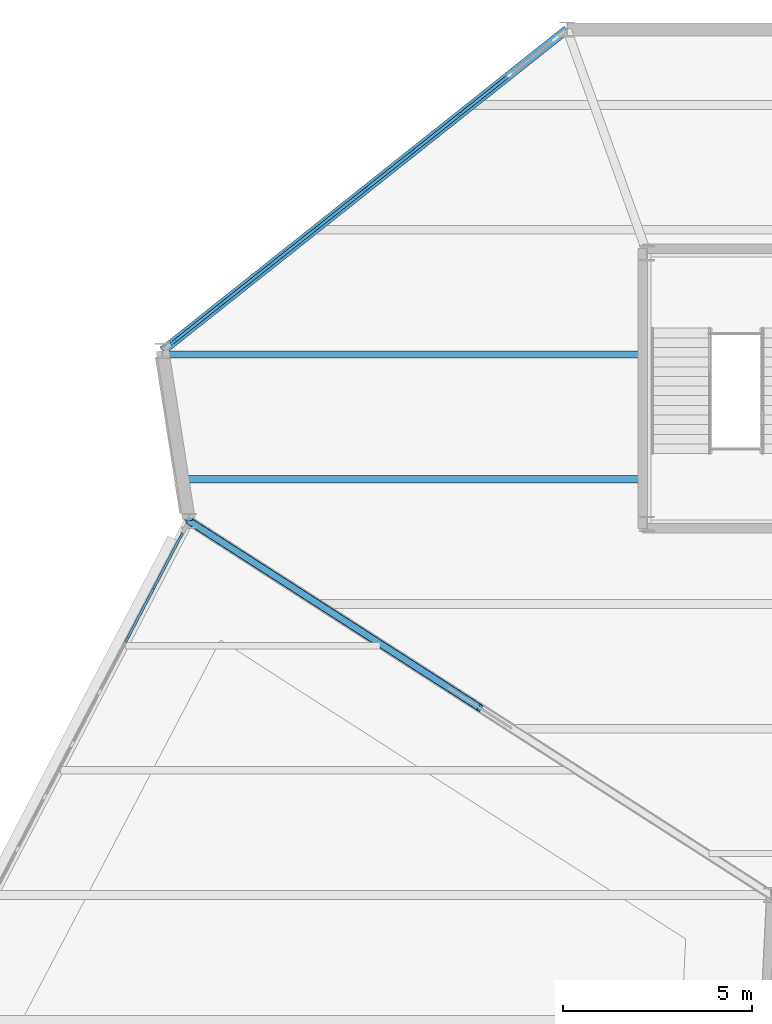
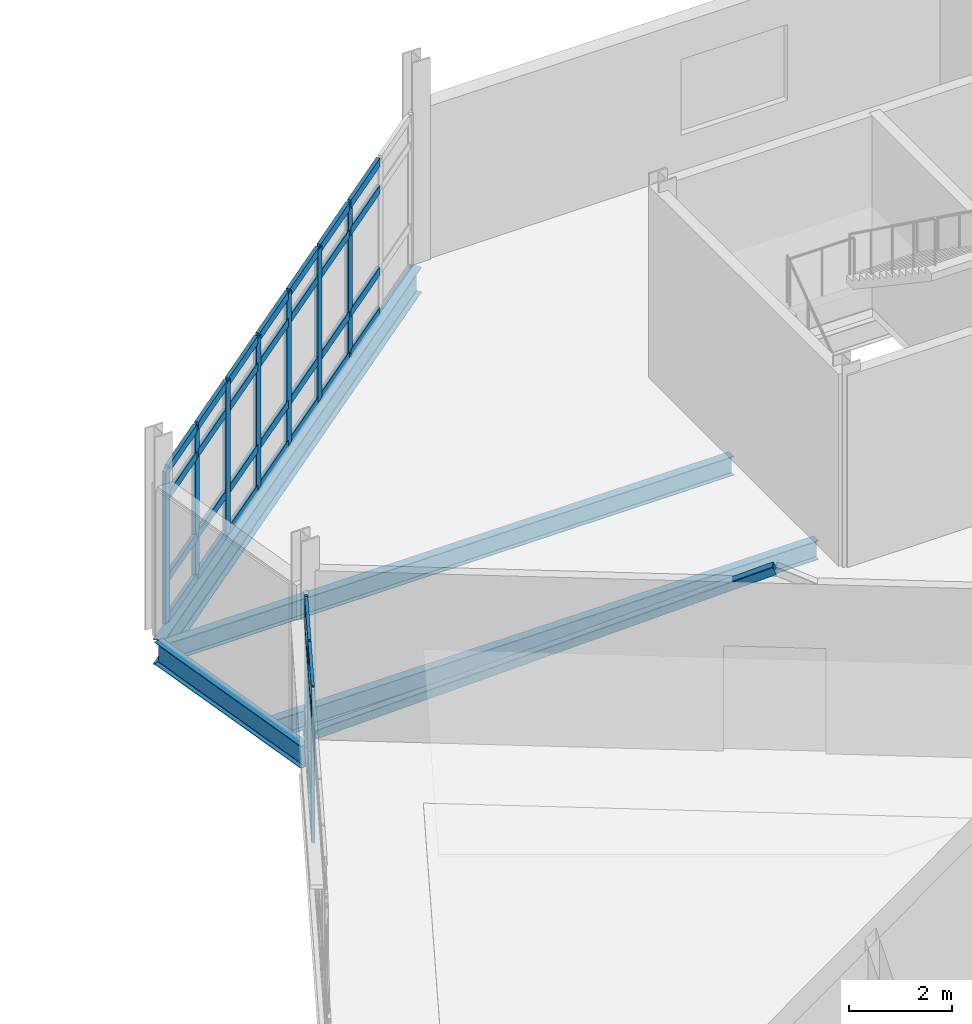
# One storey, part 63 of 134: 47 members, 4 beams, 2 elements without a shape of their own.
"""IFC4 building model written with IfcOpenShell, lengths in metres."""

from ifc_helpers import new_model, si_unit, direction, frame, origin, origin_2d, place, context, subcontext, project, spatial, rectangle, hollow_rectangle, i_section, extrude, material, material_profile, profile_set, type_object, element, aggregate, save


model = new_model("IFC4")

# Units and contexts
model_context = context("Model", 3, precision=1e-05, world=origin(), true_north=direction((0.0, 1.0)))
body_context = subcontext(model_context, "Body", "Model", "MODEL_VIEW")
ifc_project = project(units=[si_unit("LENGTHUNIT", "METRE"), si_unit("AREAUNIT", "SQUARE_METRE"), si_unit("VOLUMEUNIT", "CUBIC_METRE"), si_unit("PLANEANGLEUNIT", "RADIAN"), si_unit("MASSUNIT", "GRAM", prefix="KILO")], contexts=[model_context])

# Site, building, storey
site_placement = place(None, origin())
site = spatial("IfcSite", under=ifc_project, at=site_placement, CompositionType="ELEMENT")
building_placement = place(site_placement, origin())
building = spatial("IfcBuilding", under=site, at=building_placement, Name="Tameran Prism Museum", CompositionType="ELEMENT")
storey_placement = place(building_placement, frame((0.0, 0.0, 5.39990234375)))
storey = spatial("IfcBuildingStorey", under=building, at=storey_placement, Name="L01", CompositionType="ELEMENT", Elevation=5.39990234375)

# Beams
ifc_material_1 = material(Name="Steel Grade 300PLUS (300 MPa)", Category="steel")
ifc_material_profile_1 = material_profile(ifc_material_1, i_section(OverallWidth=0.18994140625, OverallDepth=0.4541015625, WebThickness=0.008544921875, FlangeThickness=0.0126953125, FilletRadius=0.011474609375, at=origin_2d()))
ifc_profile_set_1 = profile_set([ifc_material_profile_1])
beam_type_1 = type_object("IfcBeamType", Name="BM-J460B", PredefinedType="JOIST", material=ifc_profile_set_1)
beam_1_placement = place(storey_placement, frame((103.26904296875, 100.10009765625, -0.427001953125), z_axis=(1.0, 0.0, 0.0), x_axis=(0.0, 1.0, 0.0)))
element("IfcBeam", 1, at=beam_1_placement, inside=storey, type_object=beam_type_1, Name="Floor Beam BM-0524", PredefinedType="JOIST", context=body_context, shape_type="SweptSolid", body=[
    extrude(i_section(OverallWidth=0.18994140625, OverallDepth=0.4541015625, WebThickness=0.008544921875, FlangeThickness=0.0126953125, FilletRadius=0.011474609375, at=origin_2d()), origin(), (0.0, 0.0, 1.0), 12.2509765625),
])
beam_2_placement = place(storey_placement, frame((102.756103515625, 103.39990234375, -0.427001953125), z_axis=(1.0, 0.0, 0.0), x_axis=(0.0, 1.0, 0.0)))
element("IfcBeam", 2, at=beam_2_placement, inside=storey, type_object=beam_type_1, Name="Floor Beam BM-0526", PredefinedType="JOIST", context=body_context, shape_type="SweptSolid", body=[
    extrude(i_section(OverallWidth=0.18994140625, OverallDepth=0.4541015625, WebThickness=0.008544921875, FlangeThickness=0.0126953125, FilletRadius=0.011474609375, at=origin_2d()), origin(), (0.0, 0.0, 1.0), 12.763916015625),
])
ifc_material_2 = material(Name="Steel Grade 300PLUS (300 MPa)", Category="steel")
ifc_material_profile_2 = material_profile(ifc_material_2, i_section(OverallWidth=0.208984375, OverallDepth=0.528076171875, WebThickness=0.009521484375, FlangeThickness=0.01318359375, FilletRadius=0.013916015625, at=origin_2d()))
ifc_profile_set_2 = profile_set([ifc_material_profile_2])
beam_type_2 = type_object("IfcBeamType", Name="BM-SP530B", PredefinedType="SPANDREL", material=ifc_profile_set_2)
beam_3_placement = place(storey_placement, frame((102.699951171875, 103.5, -0.4638671875), z_axis=(0.153696537817, -0.988118097326, 0.0), x_axis=(0.988118097326, 0.153696537817, 0.0)))
element("IfcBeam", 3, at=beam_3_placement, inside=storey, type_object=beam_type_2, Name="Perimeter Spandrel SP-0339", PredefinedType="SPANDREL", context=body_context, shape_type="SweptSolid", body=[
    extrude(i_section(OverallWidth=0.208984375, OverallDepth=0.528076171875, WebThickness=0.009521484375, FlangeThickness=0.01318359375, FilletRadius=0.013916015625, at=origin_2d()), origin(), (0.0, 0.0, 1.0), 4.55419921875),
])
ifc_material_3 = material(Name="Steel Grade 300PLUS (300 MPa)", Category="steel")
ifc_material_profile_3 = material_profile(ifc_material_3, i_section(OverallWidth=0.22802734375, OverallDepth=0.60205078125, WebThickness=0.010498046875, FlangeThickness=0.014892578125, FilletRadius=0.013916015625, at=origin_2d()))
ifc_profile_set_3 = profile_set([ifc_material_profile_3])
beam_type_3 = type_object("IfcBeamType", Name="BM-SP610", PredefinedType="SPANDREL", material=ifc_profile_set_3)
beam_4_placement = place(storey_placement, frame((113.39990234375, 112.0, -0.5009765625), z_axis=(-0.783004636427, -0.62201586743, 0.0), x_axis=(0.62201586743, -0.783004636427, 0.0)))
element("IfcBeam", 4, at=beam_4_placement, inside=storey, type_object=beam_type_3, Name="Perimeter Spandrel SP-0338", PredefinedType="SPANDREL", context=body_context, shape_type="SweptSolid", body=[
    extrude(i_section(OverallWidth=0.22802734375, OverallDepth=0.60205078125, WebThickness=0.010498046875, FlangeThickness=0.014892578125, FilletRadius=0.013916015625, at=origin_2d()), origin(), (0.0, 0.0, 1.0), 13.665283203125),
])

# Curtain wall, members
ifc_material_4 = material(Name="Anodised Aluminium 6063-T6 and Cyclone Solar Glass", Category="aluminium")
curtain_wall_type_1 = type_object("IfcCurtainWallType", Name="CW-FAC-2192x362", PredefinedType="USERDEFINED", material=ifc_material_4)
curtain_wall_1_placement = place(storey_placement, origin())
curtain_wall_1 = element("IfcCurtainWall", 5, at=curtain_wall_1_placement, inside=storey, type_object=curtain_wall_type_1, Name="Unitised Curtain Wall CW-055", ObjectType="UNITISED CURTAIN WALL", PredefinedType="USERDEFINED")
ifc_material_5 = material(Name="Anodised Aluminium Alloy 6063-T6", Category="aluminium")
ifc_material_profile_4 = material_profile(ifc_material_5, rectangle(XDim=0.06494140625, YDim=0.159912109375, at=origin_2d()))
ifc_profile_set_4 = profile_set([ifc_material_profile_4])
member_type_1 = type_object("IfcMemberType", Name="CW-MUL-A", PredefinedType="MULLION", material=ifc_profile_set_4)
member_1_placement = place(storey_placement, frame((101.76025390625, 95.86181640625, 0.0), z_axis=(0.0, 0.0, 1.0), x_axis=(-0.886356952612, 0.463002540551, 0.0)))
member_1 = element("IfcMember", 6, at=member_1_placement, type_object=member_type_1, Name="CW-055 mullion 13", PredefinedType="MULLION", context=body_context, shape_type="SweptSolid", body=[
    extrude(rectangle(XDim=0.06494140625, YDim=0.159912109375, at=origin_2d()), origin(), (0.0, 0.0, 1.0), 3.6201171875),
])
member_2_placement = place(storey_placement, frame((102.485107421875, 97.249267578125, 0.0), z_axis=(0.0, 0.0, 1.0), x_axis=(-0.886356952612, 0.463002540551, 0.0)))
member_2 = element("IfcMember", 7, at=member_2_placement, type_object=member_type_1, Name="CW-055 mullion 14", PredefinedType="MULLION", context=body_context, shape_type="SweptSolid", body=[
    extrude(rectangle(XDim=0.06494140625, YDim=0.159912109375, at=origin_2d()), origin(), (0.0, 0.0, 1.0), 3.6201171875),
])
member_3_placement = place(storey_placement, frame((103.195068359375, 98.608154296875, 0.0), z_axis=(0.0, 0.0, 1.0), x_axis=(-0.886356952612, 0.463002540551, 0.0)))
member_3 = element("IfcMember", 8, at=member_3_placement, type_object=member_type_1, Name="CW-055 mullion 15", PredefinedType="MULLION", context=body_context, shape_type="SweptSolid", body=[
    extrude(rectangle(XDim=0.06494140625, YDim=0.159912109375, at=origin_2d()), origin(), (0.0, 0.0, 1.0), 3.6201171875),
])

ifc_material_6 = material(Name="Anodised Aluminium 6063-T6 and Cyclone Solar Glass", Category="aluminium")
curtain_wall_type_2 = type_object("IfcCurtainWallType", Name="CW-FAC-1296x362", PredefinedType="USERDEFINED", material=ifc_material_6)
curtain_wall_2_placement = place(storey_placement, origin())
curtain_wall_2 = element("IfcCurtainWall", 9, at=curtain_wall_2_placement, inside=storey, type_object=curtain_wall_type_2, Name="Unitised Curtain Wall CW-058", ObjectType="UNITISED CURTAIN WALL", PredefinedType="USERDEFINED")
ifc_material_7 = material(Name="Anodised Aluminium Alloy 6063-T6", Category="aluminium")
ifc_material_profile_5 = material_profile(ifc_material_7, rectangle(XDim=0.080078125, YDim=0.219970703125, at=origin_2d()))
ifc_profile_set_5 = profile_set([ifc_material_profile_5])
member_type_2 = type_object("IfcMemberType", Name="CW-MUL-D", PredefinedType="MULLION", material=ifc_profile_set_5)
member_4_placement = place(storey_placement, frame((103.00537109375, 103.742919921875, 0.0), z_axis=(0.0, 0.0, 1.0), x_axis=(-0.621982306183, 0.783031296178, 0.0)))
member_4 = element("IfcMember", 10, at=member_4_placement, type_object=member_type_2, Name="CW-058 mullion 1", PredefinedType="MULLION", context=body_context, shape_type="SweptSolid", body=[
    extrude(rectangle(XDim=0.080078125, YDim=0.219970703125, at=origin_2d()), origin(), (0.0, 0.0, 1.0), 3.6201171875),
])
member_5_placement = place(storey_placement, frame((104.242919921875, 104.72607421875, 0.0), z_axis=(0.0, 0.0, 1.0), x_axis=(-0.621982306183, 0.783031296178, 0.0)))
member_5 = element("IfcMember", 11, at=member_5_placement, type_object=member_type_2, Name="CW-058 mullion 2", PredefinedType="MULLION", context=body_context, shape_type="SweptSolid", body=[
    extrude(rectangle(XDim=0.080078125, YDim=0.219970703125, at=origin_2d()), origin(), (0.0, 0.0, 1.0), 3.6201171875),
])
member_6_placement = place(storey_placement, frame((105.511962890625, 105.73388671875, 0.0), z_axis=(0.0, 0.0, 1.0), x_axis=(-0.621982306183, 0.783031296178, 0.0)))
member_6 = element("IfcMember", 12, at=member_6_placement, type_object=member_type_2, Name="CW-058 mullion 3", PredefinedType="MULLION", context=body_context, shape_type="SweptSolid", body=[
    extrude(rectangle(XDim=0.080078125, YDim=0.219970703125, at=origin_2d()), origin(), (0.0, 0.0, 1.0), 3.6201171875),
])
member_7_placement = place(storey_placement, frame((106.781005859375, 106.741943359375, 0.0), z_axis=(0.0, 0.0, 1.0), x_axis=(-0.621982306183, 0.783031296178, 0.0)))
member_7 = element("IfcMember", 13, at=member_7_placement, type_object=member_type_2, Name="CW-058 mullion 4", PredefinedType="MULLION", context=body_context, shape_type="SweptSolid", body=[
    extrude(rectangle(XDim=0.080078125, YDim=0.219970703125, at=origin_2d()), origin(), (0.0, 0.0, 1.0), 3.6201171875),
])
member_8_placement = place(storey_placement, frame((108.050048828125, 107.75, 0.0), z_axis=(0.0, 0.0, 1.0), x_axis=(-0.621982306183, 0.783031296178, 0.0)))
member_8 = element("IfcMember", 14, at=member_8_placement, type_object=member_type_2, Name="CW-058 mullion 5", PredefinedType="MULLION", context=body_context, shape_type="SweptSolid", body=[
    extrude(rectangle(XDim=0.080078125, YDim=0.219970703125, at=origin_2d()), origin(), (0.0, 0.0, 1.0), 3.6201171875),
])
member_9_placement = place(storey_placement, frame((109.319091796875, 108.758056640625, 0.0), z_axis=(0.0, 0.0, 1.0), x_axis=(-0.621982306183, 0.783031296178, 0.0)))
member_9 = element("IfcMember", 15, at=member_9_placement, type_object=member_type_2, Name="CW-058 mullion 6", PredefinedType="MULLION", context=body_context, shape_type="SweptSolid", body=[
    extrude(rectangle(XDim=0.080078125, YDim=0.219970703125, at=origin_2d()), origin(), (0.0, 0.0, 1.0), 3.6201171875),
])
member_10_placement = place(storey_placement, frame((110.587890625, 109.76611328125, 0.0), z_axis=(0.0, 0.0, 1.0), x_axis=(-0.621982306183, 0.783031296178, 0.0)))
member_10 = element("IfcMember", 16, at=member_10_placement, type_object=member_type_2, Name="CW-058 mullion 7", PredefinedType="MULLION", context=body_context, shape_type="SweptSolid", body=[
    extrude(rectangle(XDim=0.080078125, YDim=0.219970703125, at=origin_2d()), origin(), (0.0, 0.0, 1.0), 3.6201171875),
])

# Member
ifc_material_8 = material(Name="Anodised Aluminium Alloy 6063-T6", Category="aluminium")
ifc_material_profile_6 = material_profile(ifc_material_8, rectangle(XDim=0.06494140625, YDim=0.139892578125, at=origin_2d()))
ifc_profile_set_6 = profile_set([ifc_material_profile_6])
member_type_3 = type_object("IfcMemberType", Name="CW-TRN-A", PredefinedType="USERDEFINED", material=ifc_profile_set_6)
member_11_placement = place(storey_placement, frame((101.775390625, 95.890625, 0.03271484375), z_axis=(0.463088647196, 0.886311968123, 0.0), x_axis=(-0.886311968123, 0.463088647196, 0.0)))
member_11 = element("IfcMember", 17, at=member_11_placement, type_object=member_type_3, Name="CW-055 transom 13.1", ObjectType="TRANSOM", PredefinedType="USERDEFINED", context=body_context, shape_type="SweptSolid", body=[
    extrude(rectangle(XDim=0.06494140625, YDim=0.139892578125, at=origin_2d()), origin(), (0.0, 0.0, 1.0), 1.50048828125),
])

member_12_placement = place(storey_placement, frame((101.775390625, 95.890625, 1.0), z_axis=(0.463088647196, 0.886311968123, 0.0), x_axis=(-0.886311968123, 0.463088647196, 0.0)))
member_12 = element("IfcMember", 18, at=member_12_placement, type_object=member_type_3, Name="CW-055 transom 13.2", ObjectType="TRANSOM", PredefinedType="USERDEFINED", context=body_context, shape_type="SweptSolid", body=[
    extrude(rectangle(XDim=0.06494140625, YDim=0.139892578125, at=origin_2d()), origin(), (0.0, 0.0, 1.0), 1.50048828125),
])

member_13_placement = place(storey_placement, frame((101.775390625, 95.890625, 2.940185546875), z_axis=(0.463088647196, 0.886311968123, 0.0), x_axis=(-0.886311968123, 0.463088647196, 0.0)))
member_13 = element("IfcMember", 19, at=member_13_placement, type_object=member_type_3, Name="CW-055 transom 13.3", ObjectType="TRANSOM", PredefinedType="USERDEFINED", context=body_context, shape_type="SweptSolid", body=[
    extrude(rectangle(XDim=0.06494140625, YDim=0.139892578125, at=origin_2d()), origin(), (0.0, 0.0, 1.0), 1.50048828125),
])

member_14_placement = place(storey_placement, frame((101.775390625, 95.890625, 3.587646484375), z_axis=(0.463088647196, 0.886311968123, 0.0), x_axis=(-0.886311968123, 0.463088647196, 0.0)))
member_14 = element("IfcMember", 20, at=member_14_placement, type_object=member_type_3, Name="CW-055 transom 13.4", ObjectType="TRANSOM", PredefinedType="USERDEFINED", context=body_context, shape_type="SweptSolid", body=[
    extrude(rectangle(XDim=0.06494140625, YDim=0.139892578125, at=origin_2d()), origin(), (0.0, 0.0, 1.0), 1.50048828125),
])

member_15_placement = place(storey_placement, frame((102.500244140625, 97.278076171875, 0.03271484375), z_axis=(0.462975155635, 0.886371257016, 0.0), x_axis=(-0.886371257016, 0.462975155635, 0.0)))
member_15 = element("IfcMember", 21, at=member_15_placement, type_object=member_type_3, Name="CW-055 transom 14.1", ObjectType="TRANSOM", PredefinedType="USERDEFINED", context=body_context, shape_type="SweptSolid", body=[
    extrude(rectangle(XDim=0.06494140625, YDim=0.139892578125, at=origin_2d()), origin(), (0.0, 0.0, 1.0), 1.468017578125),
])

member_16_placement = place(storey_placement, frame((102.500244140625, 97.278076171875, 1.0), z_axis=(0.462975155635, 0.886371257016, 0.0), x_axis=(-0.886371257016, 0.462975155635, 0.0)))
member_16 = element("IfcMember", 22, at=member_16_placement, type_object=member_type_3, Name="CW-055 transom 14.2", ObjectType="TRANSOM", PredefinedType="USERDEFINED", context=body_context, shape_type="SweptSolid", body=[
    extrude(rectangle(XDim=0.06494140625, YDim=0.139892578125, at=origin_2d()), origin(), (0.0, 0.0, 1.0), 1.468017578125),
])

member_17_placement = place(storey_placement, frame((102.500244140625, 97.278076171875, 2.940185546875), z_axis=(0.462975155635, 0.886371257016, 0.0), x_axis=(-0.886371257016, 0.462975155635, 0.0)))
member_17 = element("IfcMember", 23, at=member_17_placement, type_object=member_type_3, Name="CW-055 transom 14.3", ObjectType="TRANSOM", PredefinedType="USERDEFINED", context=body_context, shape_type="SweptSolid", body=[
    extrude(rectangle(XDim=0.06494140625, YDim=0.139892578125, at=origin_2d()), origin(), (0.0, 0.0, 1.0), 1.468017578125),
])

member_18_placement = place(storey_placement, frame((102.500244140625, 97.278076171875, 3.587646484375), z_axis=(0.462975155635, 0.886371257016, 0.0), x_axis=(-0.886371257016, 0.462975155635, 0.0)))
member_18 = element("IfcMember", 24, at=member_18_placement, type_object=member_type_3, Name="CW-055 transom 14.4", ObjectType="TRANSOM", PredefinedType="USERDEFINED", context=body_context, shape_type="SweptSolid", body=[
    extrude(rectangle(XDim=0.06494140625, YDim=0.139892578125, at=origin_2d()), origin(), (0.0, 0.0, 1.0), 1.468017578125),
])

aggregate(curtain_wall_1, [member_1, member_2, member_3, member_11, member_12, member_13, member_14, member_15, member_16, member_17, member_18])

ifc_material_9 = material(Name="Anodised Aluminium Alloy 6063-T6", Category="aluminium")
ifc_material_profile_7 = material_profile(ifc_material_9, rectangle(XDim=0.080078125, YDim=0.195068359375, at=origin_2d()))
ifc_profile_set_7 = profile_set([ifc_material_profile_7])
member_type_4 = type_object("IfcMemberType", Name="CW-TRN-D", PredefinedType="USERDEFINED", material=ifc_profile_set_7)
member_19_placement = place(storey_placement, frame((103.03662109375, 103.767822265625, 0.0400390625), z_axis=(0.783038601603, 0.621973109065, 0.0), x_axis=(-0.621973109065, 0.783038601603, 0.0)))
member_19 = element("IfcMember", 25, at=member_19_placement, type_object=member_type_4, Name="CW-058 transom 1.1", ObjectType="TRANSOM", PredefinedType="USERDEFINED", context=body_context, shape_type="SweptSolid", body=[
    extrude(rectangle(XDim=0.080078125, YDim=0.195068359375, at=origin_2d()), origin(), (0.0, 0.0, 1.0), 1.500732421875),
])

member_20_placement = place(storey_placement, frame((103.03662109375, 103.767822265625, 1.0), z_axis=(0.783038601603, 0.621973109065, 0.0), x_axis=(-0.621973109065, 0.783038601603, 0.0)))
member_20 = element("IfcMember", 26, at=member_20_placement, type_object=member_type_4, Name="CW-058 transom 1.2", ObjectType="TRANSOM", PredefinedType="USERDEFINED", context=body_context, shape_type="SweptSolid", body=[
    extrude(rectangle(XDim=0.080078125, YDim=0.195068359375, at=origin_2d()), origin(), (0.0, 0.0, 1.0), 1.500732421875),
])

member_21_placement = place(storey_placement, frame((103.03662109375, 103.767822265625, 2.940185546875), z_axis=(0.783038601603, 0.621973109065, 0.0), x_axis=(-0.621973109065, 0.783038601603, 0.0)))
member_21 = element("IfcMember", 27, at=member_21_placement, type_object=member_type_4, Name="CW-058 transom 1.3", ObjectType="TRANSOM", PredefinedType="USERDEFINED", context=body_context, shape_type="SweptSolid", body=[
    extrude(rectangle(XDim=0.080078125, YDim=0.195068359375, at=origin_2d()), origin(), (0.0, 0.0, 1.0), 1.500732421875),
])

member_22_placement = place(storey_placement, frame((103.03662109375, 103.767822265625, 3.580078125), z_axis=(0.783038601603, 0.621973109065, 0.0), x_axis=(-0.621973109065, 0.783038601603, 0.0)))
member_22 = element("IfcMember", 28, at=member_22_placement, type_object=member_type_4, Name="CW-058 transom 1.4", ObjectType="TRANSOM", PredefinedType="USERDEFINED", context=body_context, shape_type="SweptSolid", body=[
    extrude(rectangle(XDim=0.080078125, YDim=0.195068359375, at=origin_2d()), origin(), (0.0, 0.0, 1.0), 1.500732421875),
])

member_23_placement = place(storey_placement, frame((104.2744140625, 104.7509765625, 0.0400390625), z_axis=(0.783013232168, 0.622005046804, 0.0), x_axis=(-0.622005046804, 0.783013232168, 0.0)))
member_23 = element("IfcMember", 29, at=member_23_placement, type_object=member_type_4, Name="CW-058 transom 2.1", ObjectType="TRANSOM", PredefinedType="USERDEFINED", context=body_context, shape_type="SweptSolid", body=[
    extrude(rectangle(XDim=0.080078125, YDim=0.195068359375, at=origin_2d()), origin(), (0.0, 0.0, 1.0), 1.54052734375),
])

member_24_placement = place(storey_placement, frame((104.2744140625, 104.7509765625, 1.0), z_axis=(0.783013232168, 0.622005046804, 0.0), x_axis=(-0.622005046804, 0.783013232168, 0.0)))
member_24 = element("IfcMember", 30, at=member_24_placement, type_object=member_type_4, Name="CW-058 transom 2.2", ObjectType="TRANSOM", PredefinedType="USERDEFINED", context=body_context, shape_type="SweptSolid", body=[
    extrude(rectangle(XDim=0.080078125, YDim=0.195068359375, at=origin_2d()), origin(), (0.0, 0.0, 1.0), 1.54052734375),
])

member_25_placement = place(storey_placement, frame((104.2744140625, 104.7509765625, 2.940185546875), z_axis=(0.783013232168, 0.622005046804, 0.0), x_axis=(-0.622005046804, 0.783013232168, 0.0)))
member_25 = element("IfcMember", 31, at=member_25_placement, type_object=member_type_4, Name="CW-058 transom 2.3", ObjectType="TRANSOM", PredefinedType="USERDEFINED", context=body_context, shape_type="SweptSolid", body=[
    extrude(rectangle(XDim=0.080078125, YDim=0.195068359375, at=origin_2d()), origin(), (0.0, 0.0, 1.0), 1.54052734375),
])

member_26_placement = place(storey_placement, frame((104.2744140625, 104.7509765625, 3.580078125), z_axis=(0.783013232168, 0.622005046804, 0.0), x_axis=(-0.622005046804, 0.783013232168, 0.0)))
member_26 = element("IfcMember", 32, at=member_26_placement, type_object=member_type_4, Name="CW-058 transom 2.4", ObjectType="TRANSOM", PredefinedType="USERDEFINED", context=body_context, shape_type="SweptSolid", body=[
    extrude(rectangle(XDim=0.080078125, YDim=0.195068359375, at=origin_2d()), origin(), (0.0, 0.0, 1.0), 1.54052734375),
])

member_27_placement = place(storey_placement, frame((105.543212890625, 105.7587890625, 0.0400390625), z_axis=(0.783074532275, 0.621927871141, 0.0), x_axis=(-0.621927871141, 0.783074532275, 0.0)))
member_27 = element("IfcMember", 33, at=member_27_placement, type_object=member_type_4, Name="CW-058 transom 3.1", ObjectType="TRANSOM", PredefinedType="USERDEFINED", context=body_context, shape_type="SweptSolid", body=[
    extrude(rectangle(XDim=0.080078125, YDim=0.195068359375, at=origin_2d()), origin(), (0.0, 0.0, 1.0), 1.540771484375),
])

member_28_placement = place(storey_placement, frame((105.543212890625, 105.7587890625, 1.0), z_axis=(0.783074532275, 0.621927871141, 0.0), x_axis=(-0.621927871141, 0.783074532275, 0.0)))
member_28 = element("IfcMember", 34, at=member_28_placement, type_object=member_type_4, Name="CW-058 transom 3.2", ObjectType="TRANSOM", PredefinedType="USERDEFINED", context=body_context, shape_type="SweptSolid", body=[
    extrude(rectangle(XDim=0.080078125, YDim=0.195068359375, at=origin_2d()), origin(), (0.0, 0.0, 1.0), 1.540771484375),
])

member_29_placement = place(storey_placement, frame((105.543212890625, 105.7587890625, 2.940185546875), z_axis=(0.783074532275, 0.621927871141, 0.0), x_axis=(-0.621927871141, 0.783074532275, 0.0)))
member_29 = element("IfcMember", 35, at=member_29_placement, type_object=member_type_4, Name="CW-058 transom 3.3", ObjectType="TRANSOM", PredefinedType="USERDEFINED", context=body_context, shape_type="SweptSolid", body=[
    extrude(rectangle(XDim=0.080078125, YDim=0.195068359375, at=origin_2d()), origin(), (0.0, 0.0, 1.0), 1.540771484375),
])

member_30_placement = place(storey_placement, frame((105.543212890625, 105.7587890625, 3.580078125), z_axis=(0.783074532275, 0.621927871141, 0.0), x_axis=(-0.621927871141, 0.783074532275, 0.0)))
member_30 = element("IfcMember", 36, at=member_30_placement, type_object=member_type_4, Name="CW-058 transom 3.4", ObjectType="TRANSOM", PredefinedType="USERDEFINED", context=body_context, shape_type="SweptSolid", body=[
    extrude(rectangle(XDim=0.080078125, YDim=0.195068359375, at=origin_2d()), origin(), (0.0, 0.0, 1.0), 1.540771484375),
])

member_31_placement = place(storey_placement, frame((106.812255859375, 106.766845703125, 0.0400390625), z_axis=(0.783074532275, 0.621927871141, 0.0), x_axis=(-0.621927871141, 0.783074532275, 0.0)))
member_31 = element("IfcMember", 37, at=member_31_placement, type_object=member_type_4, Name="CW-058 transom 4.1", ObjectType="TRANSOM", PredefinedType="USERDEFINED", context=body_context, shape_type="SweptSolid", body=[
    extrude(rectangle(XDim=0.080078125, YDim=0.195068359375, at=origin_2d()), origin(), (0.0, 0.0, 1.0), 1.540771484375),
])

member_32_placement = place(storey_placement, frame((106.812255859375, 106.766845703125, 1.0), z_axis=(0.783074532275, 0.621927871141, 0.0), x_axis=(-0.621927871141, 0.783074532275, 0.0)))
member_32 = element("IfcMember", 38, at=member_32_placement, type_object=member_type_4, Name="CW-058 transom 4.2", ObjectType="TRANSOM", PredefinedType="USERDEFINED", context=body_context, shape_type="SweptSolid", body=[
    extrude(rectangle(XDim=0.080078125, YDim=0.195068359375, at=origin_2d()), origin(), (0.0, 0.0, 1.0), 1.540771484375),
])

member_33_placement = place(storey_placement, frame((106.812255859375, 106.766845703125, 2.940185546875), z_axis=(0.783074532275, 0.621927871141, 0.0), x_axis=(-0.621927871141, 0.783074532275, 0.0)))
member_33 = element("IfcMember", 39, at=member_33_placement, type_object=member_type_4, Name="CW-058 transom 4.3", ObjectType="TRANSOM", PredefinedType="USERDEFINED", context=body_context, shape_type="SweptSolid", body=[
    extrude(rectangle(XDim=0.080078125, YDim=0.195068359375, at=origin_2d()), origin(), (0.0, 0.0, 1.0), 1.540771484375),
])

member_34_placement = place(storey_placement, frame((106.812255859375, 106.766845703125, 3.580078125), z_axis=(0.783074532275, 0.621927871141, 0.0), x_axis=(-0.621927871141, 0.783074532275, 0.0)))
member_34 = element("IfcMember", 40, at=member_34_placement, type_object=member_type_4, Name="CW-058 transom 4.4", ObjectType="TRANSOM", PredefinedType="USERDEFINED", context=body_context, shape_type="SweptSolid", body=[
    extrude(rectangle(XDim=0.080078125, YDim=0.195068359375, at=origin_2d()), origin(), (0.0, 0.0, 1.0), 1.540771484375),
])

member_35_placement = place(storey_placement, frame((108.081298828125, 107.77490234375, 0.0400390625), z_axis=(0.783013232168, 0.622005046804, 0.0), x_axis=(-0.622005046804, 0.783013232168, 0.0)))
member_35 = element("IfcMember", 41, at=member_35_placement, type_object=member_type_4, Name="CW-058 transom 5.1", ObjectType="TRANSOM", PredefinedType="USERDEFINED", context=body_context, shape_type="SweptSolid", body=[
    extrude(rectangle(XDim=0.080078125, YDim=0.195068359375, at=origin_2d()), origin(), (0.0, 0.0, 1.0), 1.54052734375),
])

member_36_placement = place(storey_placement, frame((108.081298828125, 107.77490234375, 1.0), z_axis=(0.783013232168, 0.622005046804, 0.0), x_axis=(-0.622005046804, 0.783013232168, 0.0)))
member_36 = element("IfcMember", 42, at=member_36_placement, type_object=member_type_4, Name="CW-058 transom 5.2", ObjectType="TRANSOM", PredefinedType="USERDEFINED", context=body_context, shape_type="SweptSolid", body=[
    extrude(rectangle(XDim=0.080078125, YDim=0.195068359375, at=origin_2d()), origin(), (0.0, 0.0, 1.0), 1.54052734375),
])

member_37_placement = place(storey_placement, frame((108.081298828125, 107.77490234375, 2.940185546875), z_axis=(0.783013232168, 0.622005046804, 0.0), x_axis=(-0.622005046804, 0.783013232168, 0.0)))
member_37 = element("IfcMember", 43, at=member_37_placement, type_object=member_type_4, Name="CW-058 transom 5.3", ObjectType="TRANSOM", PredefinedType="USERDEFINED", context=body_context, shape_type="SweptSolid", body=[
    extrude(rectangle(XDim=0.080078125, YDim=0.195068359375, at=origin_2d()), origin(), (0.0, 0.0, 1.0), 1.54052734375),
])

member_38_placement = place(storey_placement, frame((108.081298828125, 107.77490234375, 3.580078125), z_axis=(0.783013232168, 0.622005046804, 0.0), x_axis=(-0.622005046804, 0.783013232168, 0.0)))
member_38 = element("IfcMember", 44, at=member_38_placement, type_object=member_type_4, Name="CW-058 transom 5.4", ObjectType="TRANSOM", PredefinedType="USERDEFINED", context=body_context, shape_type="SweptSolid", body=[
    extrude(rectangle(XDim=0.080078125, YDim=0.195068359375, at=origin_2d()), origin(), (0.0, 0.0, 1.0), 1.54052734375),
])

member_39_placement = place(storey_placement, frame((109.350341796875, 108.782958984375, 0.0400390625), z_axis=(0.783013232168, 0.622005046804, 0.0), x_axis=(-0.622005046804, 0.783013232168, 0.0)))
member_39 = element("IfcMember", 45, at=member_39_placement, type_object=member_type_4, Name="CW-058 transom 6.1", ObjectType="TRANSOM", PredefinedType="USERDEFINED", context=body_context, shape_type="SweptSolid", body=[
    extrude(rectangle(XDim=0.080078125, YDim=0.195068359375, at=origin_2d()), origin(), (0.0, 0.0, 1.0), 1.54052734375),
])

member_40_placement = place(storey_placement, frame((109.350341796875, 108.782958984375, 1.0), z_axis=(0.783013232168, 0.622005046804, 0.0), x_axis=(-0.622005046804, 0.783013232168, 0.0)))
member_40 = element("IfcMember", 46, at=member_40_placement, type_object=member_type_4, Name="CW-058 transom 6.2", ObjectType="TRANSOM", PredefinedType="USERDEFINED", context=body_context, shape_type="SweptSolid", body=[
    extrude(rectangle(XDim=0.080078125, YDim=0.195068359375, at=origin_2d()), origin(), (0.0, 0.0, 1.0), 1.54052734375),
])

member_41_placement = place(storey_placement, frame((109.350341796875, 108.782958984375, 2.940185546875), z_axis=(0.783013232168, 0.622005046804, 0.0), x_axis=(-0.622005046804, 0.783013232168, 0.0)))
member_41 = element("IfcMember", 47, at=member_41_placement, type_object=member_type_4, Name="CW-058 transom 6.3", ObjectType="TRANSOM", PredefinedType="USERDEFINED", context=body_context, shape_type="SweptSolid", body=[
    extrude(rectangle(XDim=0.080078125, YDim=0.195068359375, at=origin_2d()), origin(), (0.0, 0.0, 1.0), 1.54052734375),
])

member_42_placement = place(storey_placement, frame((109.350341796875, 108.782958984375, 3.580078125), z_axis=(0.783013232168, 0.622005046804, 0.0), x_axis=(-0.622005046804, 0.783013232168, 0.0)))
member_42 = element("IfcMember", 48, at=member_42_placement, type_object=member_type_4, Name="CW-058 transom 6.4", ObjectType="TRANSOM", PredefinedType="USERDEFINED", context=body_context, shape_type="SweptSolid", body=[
    extrude(rectangle(XDim=0.080078125, YDim=0.195068359375, at=origin_2d()), origin(), (0.0, 0.0, 1.0), 1.54052734375),
])

member_43_placement = place(storey_placement, frame((110.619384765625, 109.790771484375, 0.0400390625), z_axis=(0.783013232168, 0.622005046804, 0.0), x_axis=(-0.622005046804, 0.783013232168, 0.0)))
member_43 = element("IfcMember", 49, at=member_43_placement, type_object=member_type_4, Name="CW-058 transom 7.1", ObjectType="TRANSOM", PredefinedType="USERDEFINED", context=body_context, shape_type="SweptSolid", body=[
    extrude(rectangle(XDim=0.080078125, YDim=0.195068359375, at=origin_2d()), origin(), (0.0, 0.0, 1.0), 1.54052734375),
])

member_44_placement = place(storey_placement, frame((110.619384765625, 109.790771484375, 1.0), z_axis=(0.783013232168, 0.622005046804, 0.0), x_axis=(-0.622005046804, 0.783013232168, 0.0)))
member_44 = element("IfcMember", 50, at=member_44_placement, type_object=member_type_4, Name="CW-058 transom 7.2", ObjectType="TRANSOM", PredefinedType="USERDEFINED", context=body_context, shape_type="SweptSolid", body=[
    extrude(rectangle(XDim=0.080078125, YDim=0.195068359375, at=origin_2d()), origin(), (0.0, 0.0, 1.0), 1.54052734375),
])

member_45_placement = place(storey_placement, frame((110.619384765625, 109.790771484375, 2.940185546875), z_axis=(0.783013232168, 0.622005046804, 0.0), x_axis=(-0.622005046804, 0.783013232168, 0.0)))
member_45 = element("IfcMember", 51, at=member_45_placement, type_object=member_type_4, Name="CW-058 transom 7.3", ObjectType="TRANSOM", PredefinedType="USERDEFINED", context=body_context, shape_type="SweptSolid", body=[
    extrude(rectangle(XDim=0.080078125, YDim=0.195068359375, at=origin_2d()), origin(), (0.0, 0.0, 1.0), 1.54052734375),
])

member_46_placement = place(storey_placement, frame((110.619384765625, 109.790771484375, 3.580078125), z_axis=(0.783013232168, 0.622005046804, 0.0), x_axis=(-0.622005046804, 0.783013232168, 0.0)))
member_46 = element("IfcMember", 52, at=member_46_placement, type_object=member_type_4, Name="CW-058 transom 7.4", ObjectType="TRANSOM", PredefinedType="USERDEFINED", context=body_context, shape_type="SweptSolid", body=[
    extrude(rectangle(XDim=0.080078125, YDim=0.195068359375, at=origin_2d()), origin(), (0.0, 0.0, 1.0), 1.54052734375),
])

aggregate(curtain_wall_2, [member_4, member_5, member_6, member_7, member_8, member_9, member_10, member_19, member_20, member_21, member_22, member_23, member_24, member_25, member_26, member_27, member_28, member_29, member_30, member_31, member_32, member_33, member_34, member_35, member_36, member_37, member_38, member_39, member_40, member_41, member_42, member_43, member_44, member_45, member_46])

ifc_material_10 = material(Name="Steel Grade C350L0 (350 MPa)", Category="steel")
ifc_material_profile_8 = material_profile(ifc_material_10, hollow_rectangle(XDim=0.199951171875, YDim=0.199951171875, WallThickness=0.009033203125, InnerFilletRadius=0.013427734375, OuterFilletRadius=0.0224609375, at=origin_2d()))
ifc_profile_set_8 = profile_set([ifc_material_profile_8])
member_type_5 = type_object("IfcMemberType", Name="MM-BR-SHS200", PredefinedType="BRACE", material=ifc_profile_set_8)
member_47_placement = place(storey_placement, frame((103.39990234375, 99.0, 0.0), z_axis=(0.761368356308, -0.489433843505, 0.425173774878), x_axis=(0.540744111576, 0.84118714077, 0.0)))
element("IfcMember", 53, at=member_47_placement, inside=storey, type_object=member_type_5, Name="Lateral Chevron Brace CBF-016", PredefinedType="BRACE", context=body_context, shape_type="SweptSolid", body=[
    extrude(hollow_rectangle(XDim=0.199951171875, YDim=0.199951171875, WallThickness=0.009033203125, InnerFilletRadius=0.013427734375, OuterFilletRadius=0.0224609375, at=origin_2d()), origin(), (0.0, 0.0, 1.0), 10.113525390625),
])

save(model, "model.ifc")
